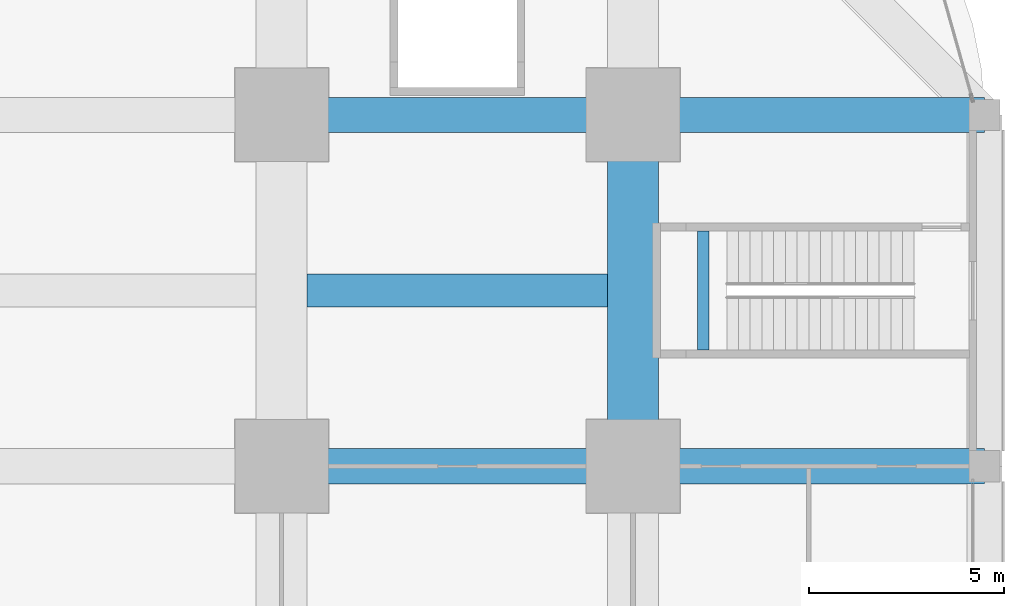
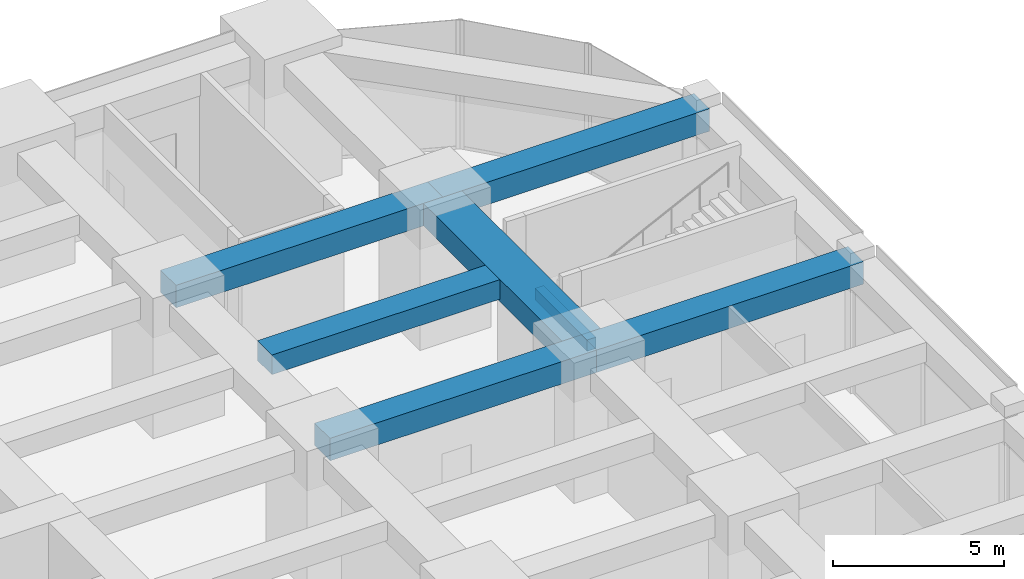
# One storey, part 36 of 46: 7 beams.
"""IFC4 building model written with IfcOpenShell, lengths in metres."""

from ifc_helpers import new_model, si_unit, direction, frame, origin, origin_2d, place, context, subcontext, project, spatial, rectangle, extrude, material, material_profile, profile_set, type_object, element, save


model = new_model("IFC4")

# Units and contexts
model_context = context("Model", 3, precision=1e-05, world=origin(), true_north=direction((0.0, 1.0)))
body_context = subcontext(model_context, "Body", "Model", "MODEL_VIEW")
ifc_project = project(units=[si_unit("LENGTHUNIT", "METRE"), si_unit("AREAUNIT", "SQUARE_METRE"), si_unit("VOLUMEUNIT", "CUBIC_METRE"), si_unit("PLANEANGLEUNIT", "RADIAN"), si_unit("MASSUNIT", "GRAM", prefix="KILO")], contexts=[model_context])

# Site, building, storey
site_placement = place(None, origin())
site = spatial("IfcSite", under=ifc_project, at=site_placement, CompositionType="ELEMENT")
building_placement = place(site_placement, origin())
building = spatial("IfcBuilding", under=site, at=building_placement, Name="Zorevar Civic Tower", CompositionType="ELEMENT")
storey_placement = place(building_placement, frame((0.0, 0.0, 10.800048828125)))
storey = spatial("IfcBuildingStorey", under=building, at=storey_placement, Name="L02", CompositionType="ELEMENT", Elevation=10.800048828125)

# Beams
ifc_material_1 = material(Name="Concrete C50/60", Category="concrete")
ifc_material_profile_1 = material_profile(ifc_material_1, rectangle(XDim=1.300048828125, YDim=0.800048828125, at=origin_2d()), Name="RC 1300x800")
ifc_profile_set_1 = profile_set([ifc_material_profile_1], Name="Concrete C50/60")
beam_type_1 = type_object("IfcBeamType", Name="Beam RC 1300x800", PredefinedType="BEAM", material=ifc_profile_set_1)
beam_1_placement = place(storey_placement, frame((63.0, 36.0, 4.199951171875), z_axis=(0.0, 1.0, 0.0), x_axis=(-1.0, 0.0, 0.0)))
element("IfcBeam", 1, at=beam_1_placement, inside=storey, type_object=beam_type_1, Name="Girder L03", PredefinedType="BEAM", context=body_context, shape_type="SweptSolid", body=[
    extrude(rectangle(XDim=1.300048828125, YDim=0.800048828125, at=origin_2d()), origin(), (0.0, 0.0, 1.0), 9.0),
])
ifc_material_2 = material(Name="Concrete C50/60", Category="concrete")
ifc_material_profile_2 = material_profile(ifc_material_2, rectangle(XDim=0.85009765625, YDim=0.699951171875, at=origin_2d()), Name="RC 850x700")
ifc_profile_set_2 = profile_set([ifc_material_profile_2], Name="Concrete C50/60")
beam_type_2 = type_object("IfcBeamType", Name="Beam RC 850x700", PredefinedType="BEAM", material=ifc_profile_set_2)
beam_2_placement = place(storey_placement, frame((54.64990234375, 40.5, 4.25), z_axis=(1.0, 0.0, 0.0), x_axis=(0.0, 1.0, 0.0)))
element("IfcBeam", 2, at=beam_2_placement, inside=storey, type_object=beam_type_2, Name="Secondary beam L03", PredefinedType="BEAM", context=body_context, shape_type="SweptSolid", body=[
    extrude(rectangle(XDim=0.85009765625, YDim=0.699951171875, at=origin_2d()), origin(), (0.0, 0.0, 1.0), 7.7001953125),
])
ifc_material_3 = material(Name="Concrete C50/60", Category="concrete")
ifc_material_profile_3 = material_profile(ifc_material_3, rectangle(XDim=0.89990234375, YDim=0.800048828125, at=origin_2d()), Name="RC 900x800")
ifc_profile_set_3 = profile_set([ifc_material_profile_3], Name="Concrete C50/60")
beam_type_3 = type_object("IfcBeamType", Name="Beam RC 900x800", PredefinedType="BEAM", material=ifc_profile_set_3)
for number, where, z_axis, x_axis, name in (
    (3, (54.0, 36.0, 4.199951171875), (1.0, 0.0, 0.0), (0.0, 1.0, 0.0), "Girder L03"),
    (4, (63.0, 36.0, 4.199951171875), (1.0, 0.0, 0.0), (0.0, 1.0, 0.0), "Girder L03"),
    (5, (54.0, 45.0, 4.199951171875), (1.0, 0.0, 0.0), (0.0, 1.0, 0.0), "Girder L03"),
    (6, (63.0, 45.0, 4.199951171875), (1.0, 0.0, 0.0), (0.0, 1.0, 0.0), "Girder L03"),
):
    element("IfcBeam", number, at=place(storey_placement, frame(where, z_axis=z_axis, x_axis=x_axis)), inside=storey, type_object=beam_type_3, Name=name, PredefinedType="BEAM", context=body_context, shape_type="SweptSolid", body=[
        extrude(rectangle(XDim=0.89990234375, YDim=0.800048828125, at=origin_2d()), origin(), (0.0, 0.0, 1.0), 9.0),
    ])
ifc_material_4 = material(Name="Concrete C30/37", Category="concrete")
ifc_material_profile_4 = material_profile(ifc_material_4, rectangle(XDim=0.300048828125, YDim=0.39990234375, at=origin_2d()), Name="RC 300x400")
ifc_profile_set_4 = profile_set([ifc_material_profile_4], Name="Concrete C30/37")
beam_type_4 = type_object("IfcBeamType", Name="Landing beam RC 300x400", PredefinedType="BEAM", material=ifc_profile_set_4)
beam_3_placement = place(storey_placement, frame((64.800048828125, 42.02490234375, 2.099853515625), z_axis=(0.0, -1.0, 0.0), x_axis=(1.0, 0.0, 0.0)))
element("IfcBeam", 7, at=beam_3_placement, inside=storey, type_object=beam_type_4, Name="Landing beam PS2 L02", PredefinedType="BEAM", context=body_context, shape_type="SweptSolid", body=[
    extrude(rectangle(XDim=0.300048828125, YDim=0.39990234375, at=origin_2d()), origin(), (0.0, 0.0, 1.0), 3.0498046875),
])

save(model, "model.ifc")
